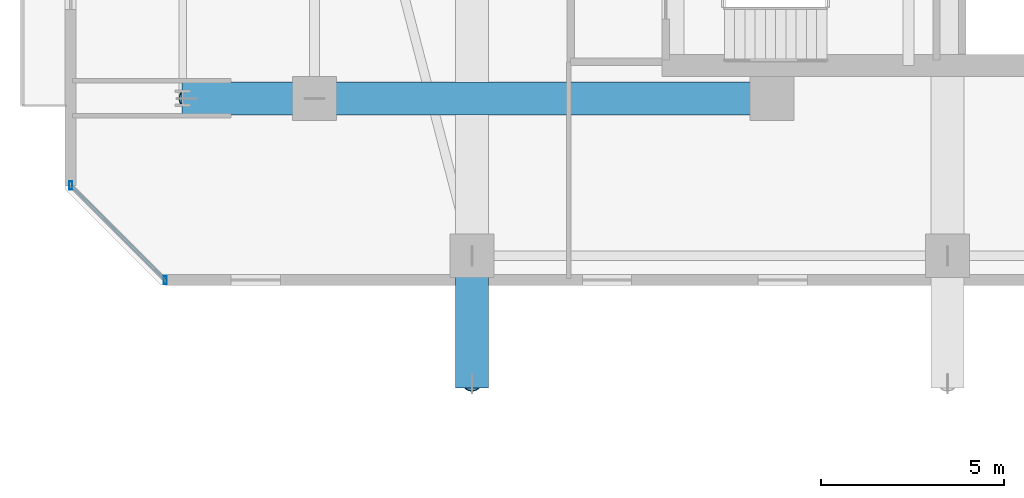
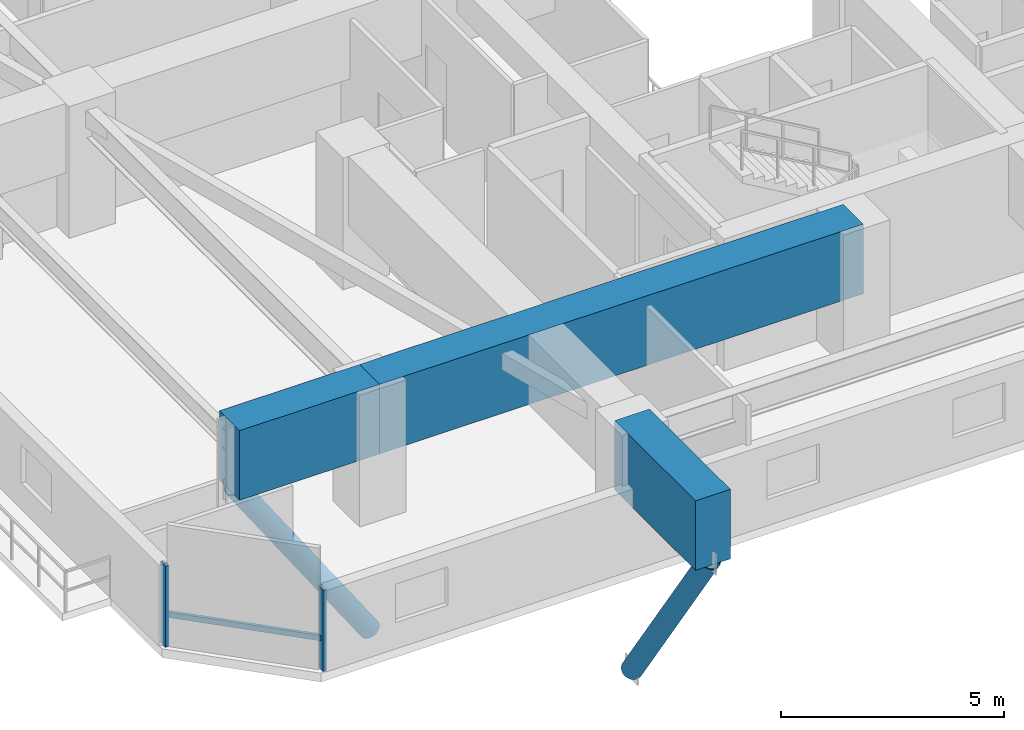
# One storey, part 3 of 36: 5 members, 3 beams, 1 element without a shape of its own.
"""IFC4 building model written with IfcOpenShell, lengths in metres."""

from ifc_helpers import new_model, si_unit, direction, frame, origin, origin_2d, place, context, subcontext, project, spatial, rectangle, hollow_rectangle, hollow_circle, extrude, material, material_profile, profile_set, type_object, element, aggregate, save


model = new_model("IFC4")

# Units and contexts
model_context = context("Model", 3, precision=1e-05, world=origin(), true_north=direction((0.0, 1.0)))
body_context = subcontext(model_context, "Body", "Model", "MODEL_VIEW")
ifc_project = project(units=[si_unit("LENGTHUNIT", "METRE"), si_unit("AREAUNIT", "SQUARE_METRE"), si_unit("VOLUMEUNIT", "CUBIC_METRE"), si_unit("PLANEANGLEUNIT", "RADIAN"), si_unit("MASSUNIT", "GRAM", prefix="KILO")], contexts=[model_context])

# Site, building, storey
site_placement = place(None, origin())
site = spatial("IfcSite", under=ifc_project, at=site_placement, CompositionType="ELEMENT")
building_placement = place(site_placement, origin())
building = spatial("IfcBuilding", under=site, at=building_placement, Name="Thornwick Lancets Civic Towers", CompositionType="ELEMENT")
storey_placement = place(building_placement, frame((0.0, 0.0, 116.10009765625)))
storey = spatial("IfcBuildingStorey", under=building, at=storey_placement, Name="L30", CompositionType="ELEMENT", Elevation=116.10009765625)

# Beams
ifc_material_1 = material(Name="Concrete C60/75", Category="concrete")
ifc_material_profile_1 = material_profile(ifc_material_1, rectangle(XDim=0.89990234375, YDim=1.89990234375, at=origin_2d()), Name="RC 900x1900")
ifc_profile_set_1 = profile_set([ifc_material_profile_1], Name="Concrete C60/75")
beam_type = type_object("IfcBeamType", Name="BM_TR_RC1900", PredefinedType="BEAM", material=ifc_profile_set_1)
beam_1_placement = place(storey_placement, frame((12.5, 9.699951171875, 2.64990234375), z_axis=(0.0, -1.0, 0.0), x_axis=(1.0, 0.0, 0.0)))
element("IfcBeam", 1, at=beam_1_placement, inside=storey, type_object=beam_type, Name="TG-CANT-L31-A01", PredefinedType="BEAM", context=body_context, shape_type="SweptSolid", body=[
    extrude(rectangle(XDim=0.89990234375, YDim=1.89990234375, at=origin_2d()), origin(), (0.0, 0.0, 1.0), 3.619873046875),
])
beam_2_placement = place(storey_placement, frame((20.699951171875, 14.0, 2.64990234375), z_axis=(-1.0, 0.0, 0.0), x_axis=(0.0, -1.0, 0.0)))
element("IfcBeam", 2, at=beam_2_placement, inside=storey, type_object=beam_type, Name="TG-BACK-L31-A10", PredefinedType="BEAM", context=body_context, shape_type="SweptSolid", body=[
    extrude(rectangle(XDim=0.89990234375, YDim=1.89990234375, at=origin_2d()), origin(), (0.0, 0.0, 1.0), 12.5),
])
beam_3_placement = place(storey_placement, frame((8.199951171875, 14.0, 2.64990234375), z_axis=(-1.0, 0.0, 0.0), x_axis=(0.0, -1.0, 0.0)))
element("IfcBeam", 3, at=beam_3_placement, inside=storey, type_object=beam_type, Name="TG-CANT-L31-A10", PredefinedType="BEAM", context=body_context, shape_type="SweptSolid", body=[
    extrude(rectangle(XDim=0.89990234375, YDim=1.89990234375, at=origin_2d()), origin(), (0.0, 0.0, 1.0), 3.619873046875),
])

# Curtain wall, members
ifc_material_2 = material(Name="Low-zone chamfered-corner unitised glass curtain wall", Category="glass")
curtain_wall_type = type_object("IfcCurtainWallType", Name="CW_SYS_03", PredefinedType="NOTDEFINED", material=ifc_material_2)
curtain_wall_placement = place(storey_placement, origin())
curtain_wall = element("IfcCurtainWall", 4, at=curtain_wall_placement, inside=storey, type_object=curtain_wall_type, Name="L30 Curtain Wall CW-L30-A-E7", PredefinedType="NOTDEFINED")
ifc_material_3 = material(Name="Thermally broken bronze aluminium S355", Category="steel")
ifc_material_profile_2 = material_profile(ifc_material_3, hollow_rectangle(XDim=0.090087890625, YDim=0.219970703125, WallThickness=0.00634765625, at=origin_2d()), Name="RHS 220x90x6.3")
ifc_profile_set_2 = profile_set([ifc_material_profile_2], Name="Thermally broken bronze aluminium S355")
member_type_1 = type_object("IfcMemberType", Name="CW_MUL_220", PredefinedType="MULLION", material=ifc_profile_set_2)
member_1_placement = place(storey_placement, frame((1.535400390625, 11.61865234375, 0.0), z_axis=(0.0, 0.0, 1.0), x_axis=(1.0, 0.0, 0.0)))
member_1 = element("IfcMember", 5, at=member_1_placement, type_object=member_type_1, Name="CW-L30-A-E7 Mullion 0", PredefinedType="MULLION", context=body_context, shape_type="SweptSolid", body=[
    extrude(hollow_rectangle(XDim=0.090087890625, YDim=0.219970703125, WallThickness=0.00634765625, at=origin_2d()), origin(), (0.0, 0.0, 1.0), 2.219970703125),
])
member_2_placement = place(storey_placement, frame((4.11865234375, 9.035400390625, 0.0), z_axis=(0.0, 0.0, 1.0), x_axis=(1.0, 0.0, 0.0)))
member_2 = element("IfcMember", 6, at=member_2_placement, type_object=member_type_1, Name="CW-L30-A-E7 Mullion 1", PredefinedType="MULLION", context=body_context, shape_type="SweptSolid", body=[
    extrude(hollow_rectangle(XDim=0.090087890625, YDim=0.219970703125, WallThickness=0.00634765625, at=origin_2d()), origin(), (0.0, 0.0, 1.0), 2.219970703125),
])
ifc_material_profile_3 = material_profile(ifc_material_3, hollow_rectangle(XDim=0.074951171875, YDim=0.14990234375, WallThickness=0.0048828125, at=origin_2d()), Name="RHS 150x75x5")
ifc_profile_set_3 = profile_set([ifc_material_profile_3], Name="Thermally broken bronze aluminium S355")
member_type_2 = type_object("IfcMemberType", Name="CW_TRN_150", PredefinedType="USERDEFINED", material=ifc_profile_set_3)
member_3_placement = place(storey_placement, frame((1.54931640625, 11.6044921875, 0.849853515625), z_axis=(0.707106781187, -0.707106781187, 0.0), x_axis=(0.707106781187, 0.707106781187, 0.0)))
member_3 = element("IfcMember", 7, at=member_3_placement, type_object=member_type_2, Name="CW-L30-A-E7 Transom 0", ObjectType="TRANSOM", PredefinedType="USERDEFINED", context=body_context, shape_type="SweptSolid", body=[
    extrude(hollow_rectangle(XDim=0.074951171875, YDim=0.14990234375, WallThickness=0.0048828125, at=origin_2d()), origin(), (0.0, 0.0, 1.0), 3.613525390625),
])
aggregate(curtain_wall, [member_1, member_2, member_3])

# Members
ifc_material_4 = material(Name="Steel S460M", Category="steel")
ifc_material_profile_4 = material_profile(ifc_material_4, hollow_circle(Radius=0.25390625, WallThickness=0.02490234375, at=origin_2d()), Name="CHS 508x25")
ifc_profile_set_4 = profile_set([ifc_material_profile_4], Name="Steel S460M")
member_type_3 = type_object("IfcMemberType", Name="MEM_STRUT_CHS508", PredefinedType="STRUT", material=ifc_profile_set_4)
for number, where, z_axis, x_axis, name in (
    (8, (12.5, 9.699951171875, -3.35009765625), (0.0, -0.563595410885, 0.826050974716), (1.0, 0.0, 0.0), "L31 Jenga Transfer Raking Strut A01"),
    (9, (8.199951171875, 14.0, -3.35009765625), (-0.563595410885, 0.0, 0.826050974716), (0.0, -1.0, 0.0), "L31 Jenga Transfer Raking Strut A10"),
):
    element("IfcMember", number, at=place(storey_placement, frame(where, z_axis=z_axis, x_axis=x_axis)), inside=storey, type_object=member_type_3, Name=name, PredefinedType="STRUT", context=body_context, shape_type="SweptSolid", body=[
        extrude(hollow_circle(Radius=0.25390625, WallThickness=0.02490234375, at=origin_2d()), origin(), (0.0, 0.0, 1.0), 6.210205078125),
    ])

save(model, "model.ifc")
